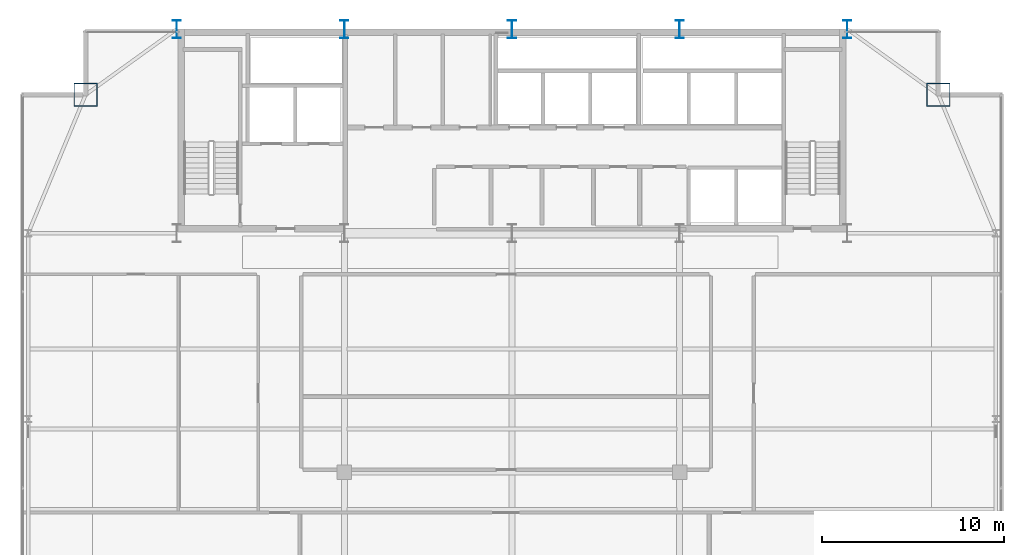
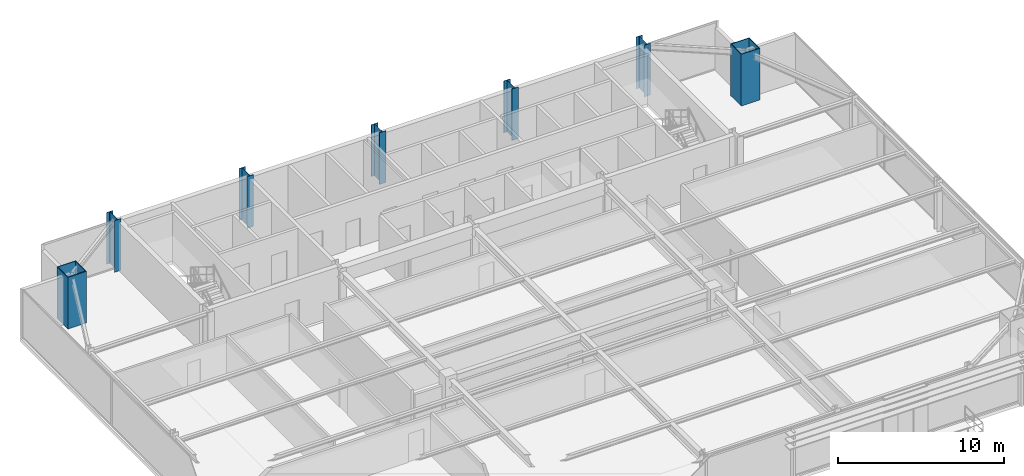
# One storey, part 3 of 31: 7 columns.
"""IFC4 building model written with IfcOpenShell, lengths in metres."""

from ifc_helpers import new_model, si_unit, direction, frame, origin, origin_2d, place, context, subcontext, project, spatial, hollow_rectangle, i_section, extrude, source, transform, mapped, material, material_profile, profile_set, type_object, type_shapes, element, save


model = new_model("IFC4")

# Units and contexts
model_context = context("Model", 3, precision=1e-05, world=origin(), true_north=direction((0.0, 1.0)))
body_context = subcontext(model_context, "Body", "Model", "MODEL_VIEW")
ifc_project = project(units=[si_unit("LENGTHUNIT", "METRE"), si_unit("AREAUNIT", "SQUARE_METRE"), si_unit("VOLUMEUNIT", "CUBIC_METRE"), si_unit("PLANEANGLEUNIT", "RADIAN"), si_unit("MASSUNIT", "GRAM", prefix="KILO")], contexts=[model_context])

# Site, building, storey
site_placement = place(None, origin())
site = spatial("IfcSite", under=ifc_project, at=site_placement, CompositionType="ELEMENT")
building_placement = place(site_placement, origin())
building = spatial("IfcBuilding", under=site, at=building_placement, Name="Varnel Quay Broadcast Tower", CompositionType="ELEMENT")
storey_placement = place(building_placement, frame((0.0, 0.0, 153.39990234375)))
storey = spatial("IfcBuildingStorey", under=building, at=storey_placement, Name="L37", CompositionType="ELEMENT", Elevation=153.39990234375)

# Columns
ifc_material = material(Name="Structural Steel CSA G40.21 350WT", Category="steel")
ifc_material_profile_1 = material_profile(ifc_material, i_section(OverallWidth=0.449951171875, OverallDepth=1.0, WebThickness=0.01611328125, FlangeThickness=0.030029296875, FilletRadius=0.01611328125, at=origin_2d()), Name="WWF1000X362")
ifc_profile_set_1 = profile_set([ifc_material_profile_1], Name="Structural Steel CSA G40.21 350WT")
column_type_1 = type_object("IfcColumnType", Name="Col_WWF1000X362", PredefinedType="COLUMN", material=ifc_profile_set_1)
shared_shape_1 = source(origin(), body_context, "Body", "SweptSolid", [
    extrude(i_section(OverallWidth=0.449951171875, OverallDepth=1.0, WebThickness=0.01611328125, FlangeThickness=0.030029296875, FilletRadius=0.01611328125, at=origin_2d()), origin(), (0.0, 0.0, 1.0), 3.800048828125),
])
type_shapes(column_type_1, [shared_shape_1])
for number, where, z_axis, x_axis, name in (
    (1, (15.60009765625, 46.800048828125, 0.0), (0.0, 0.0, 1.0), (1.0, 0.0, 0.0), "L37 Column CC-N1"),
    (2, (24.800048828125, 46.800048828125, 0.0), (0.0, 0.0, 1.0), (1.0, 0.0, 0.0), "L37 Column CC-N2"),
    (3, (34.0, 46.800048828125, 0.0), (0.0, 0.0, 1.0), (1.0, 0.0, 0.0), "L37 Column CC-N3"),
    (4, (43.199951171875, 46.800048828125, 0.0), (0.0, 0.0, 1.0), (1.0, 0.0, 0.0), "L37 Column CC-N4"),
    (5, (52.39990234375, 46.800048828125, 0.0), (0.0, 0.0, 1.0), (1.0, 0.0, 0.0), "L37 Column CC-N5"),
):
    element("IfcColumn", number, at=place(storey_placement, frame(where, z_axis=z_axis, x_axis=x_axis)), inside=storey, type_object=column_type_1, Name=name, PredefinedType="COLUMN", context=body_context, shape_type="MappedRepresentation", body=[
        mapped(shared_shape_1, transform((0.0, 0.0, 0.0), x_axis=(1.0, 0.0, 0.0), y_axis=(0.0, 1.0, 0.0), z_axis=(0.0, 0.0, 1.0), scale=1.0)),
    ])
ifc_material_profile_2 = material_profile(ifc_material, hollow_rectangle(XDim=1.300048828125, YDim=1.300048828125, WallThickness=0.050048828125, at=origin_2d()), Name="BOX1300X1300X50")
ifc_profile_set_2 = profile_set([ifc_material_profile_2], Name="Structural Steel CSA G40.21 350WT")
column_type_2 = type_object("IfcColumnType", Name="Col_BOX1300X1300X50", PredefinedType="COLUMN", material=ifc_profile_set_2)
shared_shape_2 = source(origin(), body_context, "Body", "SweptSolid", [
    extrude(hollow_rectangle(XDim=1.300048828125, YDim=1.300048828125, WallThickness=0.050048828125, at=origin_2d()), origin(), (0.0, 0.0, 1.0), 3.800048828125),
])
type_shapes(column_type_2, [shared_shape_2])
for number, where, z_axis, x_axis, name in (
    (6, (57.39990234375, 43.199951171875, 0.0), (0.0, 0.0, 1.0), (1.0, 0.0, 0.0), "L37 Column MC-NE"),
    (7, (10.60009765625, 43.199951171875, 0.0), (0.0, 0.0, 1.0), (1.0, 0.0, 0.0), "L37 Column MC-NW"),
):
    element("IfcColumn", number, at=place(storey_placement, frame(where, z_axis=z_axis, x_axis=x_axis)), inside=storey, type_object=column_type_2, Name=name, PredefinedType="COLUMN", context=body_context, shape_type="MappedRepresentation", body=[
        mapped(shared_shape_2, transform((0.0, 0.0, 0.0), x_axis=(1.0, 0.0, 0.0), y_axis=(0.0, 1.0, 0.0), z_axis=(0.0, 0.0, 1.0), scale=1.0)),
    ])

save(model, "model.ifc")
